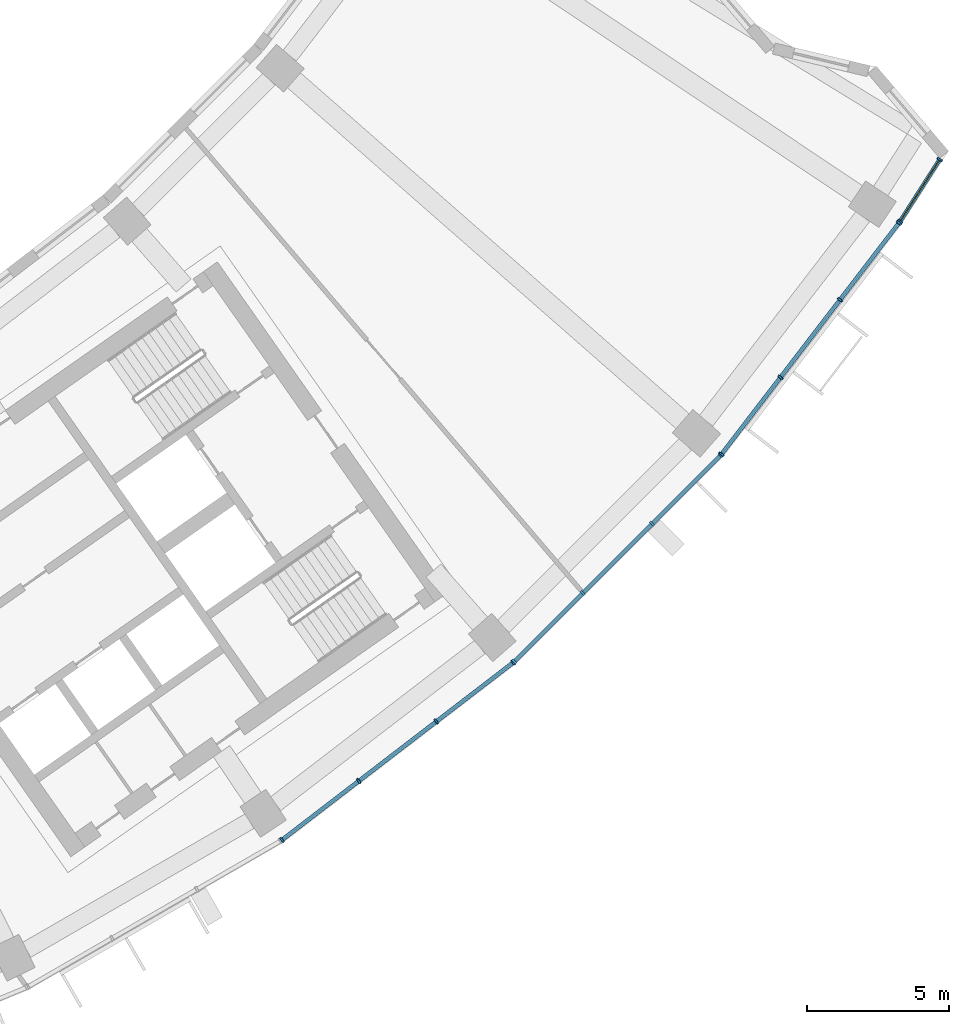
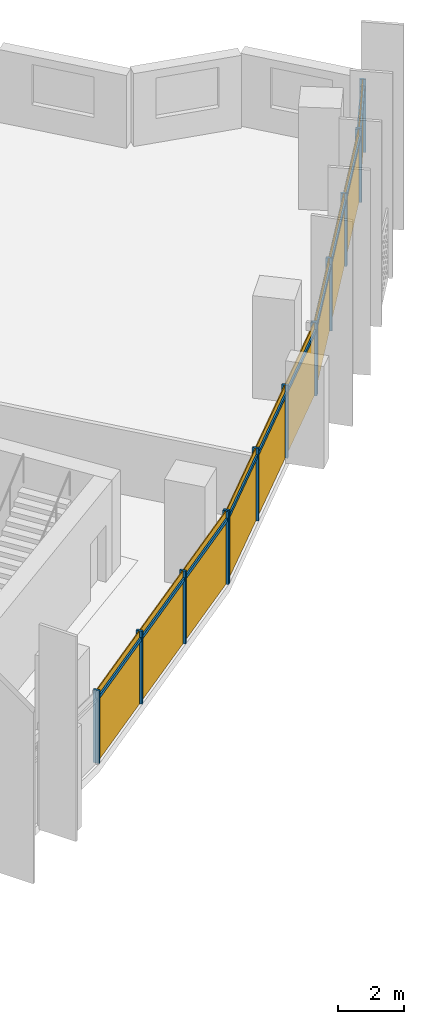
# One storey, part 22 of 27: 24 members, 4 curtain walls.
"""IFC4 building model written with IfcOpenShell, lengths in metres."""

from ifc_helpers import new_model, si_unit, direction, frame, origin, origin_2d, place, context, subcontext, project, spatial, rectangle, extrude, material, material_profile, profile_set, type_object, element, aggregate, save


model = new_model("IFC4")

# Units and contexts
model_context = context("Model", 3, precision=1e-05, world=origin(), true_north=direction((0.0, 1.0)))
body_context = subcontext(model_context, "Body", "Model", "MODEL_VIEW")
ifc_project = project(units=[si_unit("LENGTHUNIT", "METRE"), si_unit("AREAUNIT", "SQUARE_METRE"), si_unit("VOLUMEUNIT", "CUBIC_METRE"), si_unit("PLANEANGLEUNIT", "RADIAN"), si_unit("MASSUNIT", "GRAM", prefix="KILO")], contexts=[model_context])

# Member
ifc_material = material(Name="Aluminium 6063-T6 anodised", Category="aluminium")
ifc_material_profile_1 = material_profile(ifc_material, rectangle(XDim=0.199951171875, YDim=0.070068359375, at=origin_2d()))
ifc_profile_set_1 = profile_set([ifc_material_profile_1], Name="Aluminium 6063-T6 anodised")
member_type_1 = type_object("IfcMemberType", Name="Mullion 70 x 200 aluminium", PredefinedType="MULLION", material=ifc_profile_set_1)
site_placement = place(None, origin())
building_placement = place(site_placement, origin())
storey_placement = place(building_placement, frame((0.0, 0.0, 179.699951171875)))
member_1_placement = place(storey_placement, frame((43.85693359375, -65.58544921875, 0.0), z_axis=(0.0, 0.0, 1.0), x_axis=(-0.608761429009, 0.793353340291, 0.0)))
member_1 = element("IfcMember", 1, at=member_1_placement, type_object=member_type_1, Name="e-cw1-L42-out12/M00", PredefinedType="MULLION", context=body_context, shape_type="SweptSolid", body=[
    extrude(rectangle(XDim=0.199951171875, YDim=0.070068359375, at=origin_2d()), origin(), (0.0, 0.0, 1.0), 2.699951171875),
])

member_2_placement = place(storey_placement, frame((46.56201171875, -63.509765625, 0.0), z_axis=(0.0, 0.0, 1.0), x_axis=(-0.608761429009, 0.793353340291, 0.0)))
member_2 = element("IfcMember", 2, at=member_2_placement, type_object=member_type_1, Name="e-cw1-L42-out12/M01", PredefinedType="MULLION", context=body_context, shape_type="SweptSolid", body=[
    extrude(rectangle(XDim=0.199951171875, YDim=0.070068359375, at=origin_2d()), origin(), (0.0, 0.0, 1.0), 2.699951171875),
])

member_3_placement = place(storey_placement, frame((49.294677734375, -61.412841796875, 0.0), z_axis=(0.0, 0.0, 1.0), x_axis=(-0.608761429009, 0.793353340291, 0.0)))
member_3 = element("IfcMember", 3, at=member_3_placement, type_object=member_type_1, Name="e-cw1-L42-out12/M02", PredefinedType="MULLION", context=body_context, shape_type="SweptSolid", body=[
    extrude(rectangle(XDim=0.199951171875, YDim=0.070068359375, at=origin_2d()), origin(), (0.0, 0.0, 1.0), 2.699951171875),
])

member_4_placement = place(storey_placement, frame((51.999755859375, -59.33740234375, 0.0), z_axis=(0.0, 0.0, 1.0), x_axis=(-0.608761429009, 0.793353340291, 0.0)))
member_4 = element("IfcMember", 4, at=member_4_placement, type_object=member_type_1, Name="e-cw1-L42-out12/M03", PredefinedType="MULLION", context=body_context, shape_type="SweptSolid", body=[
    extrude(rectangle(XDim=0.199951171875, YDim=0.070068359375, at=origin_2d()), origin(), (0.0, 0.0, 1.0), 2.699951171875),
])

member_5_placement = place(storey_placement, frame((52.042236328125, -59.2998046875, 0.0), z_axis=(0.0, 0.0, 1.0), x_axis=(-0.707106781187, 0.707106781187, 0.0)))
member_5 = element("IfcMember", 5, at=member_5_placement, type_object=member_type_1, Name="e-cw1-L42-out13/M00", PredefinedType="MULLION", context=body_context, shape_type="SweptSolid", body=[
    extrude(rectangle(XDim=0.199951171875, YDim=0.070068359375, at=origin_2d()), origin(), (0.0, 0.0, 1.0), 2.699951171875),
])

member_6_placement = place(storey_placement, frame((54.453369140625, -56.888916015625, 0.0), z_axis=(0.0, 0.0, 1.0), x_axis=(-0.707106781187, 0.707106781187, 0.0)))
member_6 = element("IfcMember", 6, at=member_6_placement, type_object=member_type_1, Name="e-cw1-L42-out13/M01", PredefinedType="MULLION", context=body_context, shape_type="SweptSolid", body=[
    extrude(rectangle(XDim=0.199951171875, YDim=0.070068359375, at=origin_2d()), origin(), (0.0, 0.0, 1.0), 2.699951171875),
])

member_7_placement = place(storey_placement, frame((56.888916015625, -54.453369140625, 0.0), z_axis=(0.0, 0.0, 1.0), x_axis=(-0.707106781187, 0.707106781187, 0.0)))
member_7 = element("IfcMember", 7, at=member_7_placement, type_object=member_type_1, Name="e-cw1-L42-out13/M02", PredefinedType="MULLION", context=body_context, shape_type="SweptSolid", body=[
    extrude(rectangle(XDim=0.199951171875, YDim=0.070068359375, at=origin_2d()), origin(), (0.0, 0.0, 1.0), 2.699951171875),
])

member_8_placement = place(storey_placement, frame((59.2998046875, -52.042236328125, 0.0), z_axis=(0.0, 0.0, 1.0), x_axis=(-0.707106781187, 0.707106781187, 0.0)))
member_8 = element("IfcMember", 8, at=member_8_placement, type_object=member_type_1, Name="e-cw1-L42-out13/M03", PredefinedType="MULLION", context=body_context, shape_type="SweptSolid", body=[
    extrude(rectangle(XDim=0.199951171875, YDim=0.070068359375, at=origin_2d()), origin(), (0.0, 0.0, 1.0), 2.699951171875),
])

member_9_placement = place(storey_placement, frame((59.33740234375, -51.999755859375, 0.0), z_axis=(0.0, 0.0, 1.0), x_axis=(-0.793353340291, 0.608761429009, 0.0)))
member_9 = element("IfcMember", 9, at=member_9_placement, type_object=member_type_1, Name="e-cw1-L42-out14/M00", PredefinedType="MULLION", context=body_context, shape_type="SweptSolid", body=[
    extrude(rectangle(XDim=0.199951171875, YDim=0.070068359375, at=origin_2d()), origin(), (0.0, 0.0, 1.0), 2.699951171875),
])

member_10_placement = place(storey_placement, frame((61.412841796875, -49.294677734375, 0.0), z_axis=(0.0, 0.0, 1.0), x_axis=(-0.793353340291, 0.608761429009, 0.0)))
member_10 = element("IfcMember", 10, at=member_10_placement, type_object=member_type_1, Name="e-cw1-L42-out14/M01", PredefinedType="MULLION", context=body_context, shape_type="SweptSolid", body=[
    extrude(rectangle(XDim=0.199951171875, YDim=0.070068359375, at=origin_2d()), origin(), (0.0, 0.0, 1.0), 2.699951171875),
])

member_11_placement = place(storey_placement, frame((63.509765625, -46.56201171875, 0.0), z_axis=(0.0, 0.0, 1.0), x_axis=(-0.793353340291, 0.608761429009, 0.0)))
member_11 = element("IfcMember", 11, at=member_11_placement, type_object=member_type_1, Name="e-cw1-L42-out14/M02", PredefinedType="MULLION", context=body_context, shape_type="SweptSolid", body=[
    extrude(rectangle(XDim=0.199951171875, YDim=0.070068359375, at=origin_2d()), origin(), (0.0, 0.0, 1.0), 2.699951171875),
])

member_12_placement = place(storey_placement, frame((65.58544921875, -43.85693359375, 0.0), z_axis=(0.0, 0.0, 1.0), x_axis=(-0.793353340291, 0.608761429009, 0.0)))
member_12 = element("IfcMember", 12, at=member_12_placement, type_object=member_type_1, Name="e-cw1-L42-out14/M03", PredefinedType="MULLION", context=body_context, shape_type="SweptSolid", body=[
    extrude(rectangle(XDim=0.199951171875, YDim=0.070068359375, at=origin_2d()), origin(), (0.0, 0.0, 1.0), 2.699951171875),
])

member_13_placement = place(storey_placement, frame((65.620849609375, -43.806640625, 0.0), z_axis=(0.0, 0.0, 1.0), x_axis=(-0.842034175149, 0.539424181773, 0.0)))
member_13 = element("IfcMember", 13, at=member_13_placement, type_object=member_type_1, Name="e-cw1-L42-out15/M00", PredefinedType="MULLION", context=body_context, shape_type="SweptSolid", body=[
    extrude(rectangle(XDim=0.199951171875, YDim=0.070068359375, at=origin_2d()), origin(), (0.0, 0.0, 1.0), 2.699951171875),
])

member_14_placement = place(storey_placement, frame((67.019775390625, -41.622802734375, 0.0), z_axis=(0.0, 0.0, 1.0), x_axis=(-0.842034175149, 0.539424181773, 0.0)))
member_14 = element("IfcMember", 14, at=member_14_placement, type_object=member_type_1, Name="e-cw1-L42-out15/M01", PredefinedType="MULLION", context=body_context, shape_type="SweptSolid", body=[
    extrude(rectangle(XDim=0.199951171875, YDim=0.070068359375, at=origin_2d()), origin(), (0.0, 0.0, 1.0), 2.699951171875),
])

ifc_material_profile_2 = material_profile(ifc_material, rectangle(XDim=0.139892578125, YDim=0.1201171875, at=origin_2d()))
ifc_profile_set_2 = profile_set([ifc_material_profile_2], Name="Aluminium 6063-T6 anodised")
member_type_2 = type_object("IfcMemberType", Name="Transom 120 x 140 aluminium", PredefinedType="USERDEFINED", material=ifc_profile_set_2)
member_15_placement = place(storey_placement, frame((43.884765625, -65.564208984375, 2.400146484375), z_axis=(0.793354486861, 0.608759934767, 0.0), x_axis=(-0.608759934767, 0.793354486861, 0.0)))
member_15 = element("IfcMember", 15, at=member_15_placement, type_object=member_type_2, Name="e-cw1-L42-out12/T00", ObjectType="TRANSOM", PredefinedType="USERDEFINED", context=body_context, shape_type="SweptSolid", body=[
    extrude(rectangle(XDim=0.139892578125, YDim=0.1201171875, at=origin_2d()), origin(), (0.0, 0.0, 1.0), 3.339599609375),
])

member_16_placement = place(storey_placement, frame((46.589599609375, -63.488525390625, 2.400146484375), z_axis=(0.793371081522, 0.608738307489, 0.0), x_axis=(-0.608738307489, 0.793371081522, 0.0)))
member_16 = element("IfcMember", 16, at=member_16_placement, type_object=member_type_2, Name="e-cw1-L42-out12/T01", ObjectType="TRANSOM", PredefinedType="USERDEFINED", context=body_context, shape_type="SweptSolid", body=[
    extrude(rectangle(XDim=0.139892578125, YDim=0.1201171875, at=origin_2d()), origin(), (0.0, 0.0, 1.0), 3.37451171875),
])

member_17_placement = place(storey_placement, frame((49.322509765625, -61.3916015625, 2.400146484375), z_axis=(0.793354486861, 0.608759934767, 0.0), x_axis=(-0.608759934767, 0.793354486861, 0.0)))
member_17 = element("IfcMember", 17, at=member_17_placement, type_object=member_type_2, Name="e-cw1-L42-out12/T02", ObjectType="TRANSOM", PredefinedType="USERDEFINED", context=body_context, shape_type="SweptSolid", body=[
    extrude(rectangle(XDim=0.139892578125, YDim=0.1201171875, at=origin_2d()), origin(), (0.0, 0.0, 1.0), 3.339599609375),
])

member_18_placement = place(storey_placement, frame((52.067138671875, -59.275146484375, 2.400146484375), z_axis=(0.707106781187, 0.707106781187, 0.0), x_axis=(-0.707106781187, 0.707106781187, 0.0)))
member_18 = element("IfcMember", 18, at=member_18_placement, type_object=member_type_2, Name="e-cw1-L42-out13/T00", ObjectType="TRANSOM", PredefinedType="USERDEFINED", context=body_context, shape_type="SweptSolid", body=[
    extrude(rectangle(XDim=0.139892578125, YDim=0.1201171875, at=origin_2d()), origin(), (0.0, 0.0, 1.0), 3.33935546875),
])

member_19_placement = place(storey_placement, frame((54.47802734375, -56.8642578125, 2.400146484375), z_axis=(0.707106781187, 0.707106781187, 0.0), x_axis=(-0.707106781187, 0.707106781187, 0.0)))
member_19 = element("IfcMember", 19, at=member_19_placement, type_object=member_type_2, Name="e-cw1-L42-out13/T01", ObjectType="TRANSOM", PredefinedType="USERDEFINED", context=body_context, shape_type="SweptSolid", body=[
    extrude(rectangle(XDim=0.139892578125, YDim=0.1201171875, at=origin_2d()), origin(), (0.0, 0.0, 1.0), 3.374755859375),
])

member_20_placement = place(storey_placement, frame((56.913818359375, -54.428466796875, 2.400146484375), z_axis=(0.707106781187, 0.707106781187, 0.0), x_axis=(-0.707106781187, 0.707106781187, 0.0)))
member_20 = element("IfcMember", 20, at=member_20_placement, type_object=member_type_2, Name="e-cw1-L42-out13/T02", ObjectType="TRANSOM", PredefinedType="USERDEFINED", context=body_context, shape_type="SweptSolid", body=[
    extrude(rectangle(XDim=0.139892578125, YDim=0.1201171875, at=origin_2d()), origin(), (0.0, 0.0, 1.0), 3.33935546875),
])

member_21_placement = place(storey_placement, frame((59.358642578125, -51.971923828125, 2.400146484375), z_axis=(0.608759934767, 0.793354486861, 0.0), x_axis=(-0.793354486861, 0.608759934767, 0.0)))
member_21 = element("IfcMember", 21, at=member_21_placement, type_object=member_type_2, Name="e-cw1-L42-out14/T00", ObjectType="TRANSOM", PredefinedType="USERDEFINED", context=body_context, shape_type="SweptSolid", body=[
    extrude(rectangle(XDim=0.139892578125, YDim=0.1201171875, at=origin_2d()), origin(), (0.0, 0.0, 1.0), 3.339599609375),
])

member_22_placement = place(storey_placement, frame((61.434326171875, -49.266845703125, 2.400146484375), z_axis=(0.608738307489, 0.793371081522, 0.0), x_axis=(-0.793371081522, 0.608738307489, 0.0)))
member_22 = element("IfcMember", 22, at=member_22_placement, type_object=member_type_2, Name="e-cw1-L42-out14/T01", ObjectType="TRANSOM", PredefinedType="USERDEFINED", context=body_context, shape_type="SweptSolid", body=[
    extrude(rectangle(XDim=0.139892578125, YDim=0.1201171875, at=origin_2d()), origin(), (0.0, 0.0, 1.0), 3.37451171875),
])

member_23_placement = place(storey_placement, frame((63.53125, -46.5341796875, 2.400146484375), z_axis=(0.608759934767, 0.793354486861, 0.0), x_axis=(-0.793354486861, 0.608759934767, 0.0)))
member_23 = element("IfcMember", 23, at=member_23_placement, type_object=member_type_2, Name="e-cw1-L42-out14/T02", ObjectType="TRANSOM", PredefinedType="USERDEFINED", context=body_context, shape_type="SweptSolid", body=[
    extrude(rectangle(XDim=0.139892578125, YDim=0.1201171875, at=origin_2d()), origin(), (0.0, 0.0, 1.0), 3.339599609375),
])

member_24_placement = place(storey_placement, frame((65.6396484375, -43.777099609375, 2.400146484375), z_axis=(0.539470934672, 0.842004222462, 0.0), x_axis=(-0.842004222462, 0.539470934672, 0.0)))
member_24 = element("IfcMember", 24, at=member_24_placement, type_object=member_type_2, Name="e-cw1-L42-out15/T00", ObjectType="TRANSOM", PredefinedType="USERDEFINED", context=body_context, shape_type="SweptSolid", body=[
    extrude(rectangle(XDim=0.139892578125, YDim=0.1201171875, at=origin_2d()), origin(), (0.0, 0.0, 1.0), 2.5234375),
])

# Site, building, storey
site = spatial("IfcSite", under=ifc_project, at=site_placement, CompositionType="ELEMENT")
building = spatial("IfcBuilding", under=site, at=building_placement, Name="Qamariyya Broadcast Tower", CompositionType="ELEMENT")
storey = spatial("IfcBuildingStorey", under=building, at=storey_placement, Name="L42", CompositionType="ELEMENT", Elevation=179.699951171875)

# Curtain wall
curtain_wall_type = type_object("IfcCurtainWallType", Name="Unitised curtain wall, anodised aluminium", PredefinedType="NOTDEFINED", material=ifc_material)
curtain_wall_1_placement = place(storey_placement, origin())
curtain_wall_1 = element("IfcCurtainWall", 25, at=curtain_wall_1_placement, inside=storey, type_object=curtain_wall_type, Name="e-cw1-L42-out12", PredefinedType="NOTDEFINED", context=body_context, shape_type="SweptSolid", body=[
    extrude(rectangle(XDim=3.339599609375, YDim=0.031982421875, at=origin_2d()), frame((45.20947265625, -64.547607421875, 0.0), x_axis=(0.793351517557, 0.608763804434, 0.0)), (0.0, 0.0, 1.0), 2.340087890625),
    extrude(rectangle(XDim=3.339599609375, YDim=0.031982421875, at=origin_2d()), frame((45.20947265625, -64.547607421875, 2.4599609375), x_axis=(0.793351517557, 0.608763804434, 0.0)), (0.0, 0.0, 1.0), 0.239990234375),
    extrude(rectangle(XDim=3.37451171875, YDim=0.031982421875, at=origin_2d()), frame((47.92822265625, -62.46142578125, 0.0), x_axis=(0.793351517557, 0.608763804434, 0.0)), (0.0, 0.0, 1.0), 2.340087890625),
    extrude(rectangle(XDim=3.37451171875, YDim=0.031982421875, at=origin_2d()), frame((47.92822265625, -62.46142578125, 2.4599609375), x_axis=(0.793351517557, 0.608763804434, 0.0)), (0.0, 0.0, 1.0), 0.239990234375),
    extrude(rectangle(XDim=3.339599609375, YDim=0.031982421875, at=origin_2d()), frame((50.64697265625, -60.375, 0.0), x_axis=(0.793351517557, 0.608763804434, 0.0)), (0.0, 0.0, 1.0), 2.340087890625),
    extrude(rectangle(XDim=3.339599609375, YDim=0.031982421875, at=origin_2d()), frame((50.64697265625, -60.375, 2.4599609375), x_axis=(0.793351517557, 0.608763804434, 0.0)), (0.0, 0.0, 1.0), 0.239990234375),
])

aggregate(curtain_wall_1, [member_1, member_2, member_3, member_4, member_15, member_16, member_17])

curtain_wall_2_placement = place(storey_placement, origin())
curtain_wall_2 = element("IfcCurtainWall", 26, at=curtain_wall_2_placement, inside=storey, type_object=curtain_wall_type, Name="e-cw1-L42-out13", PredefinedType="NOTDEFINED", context=body_context, shape_type="SweptSolid", body=[
    extrude(rectangle(XDim=3.339599609375, YDim=0.031982421875, at=origin_2d()), frame((53.247802734375, -58.094482421875, 0.0), x_axis=(0.707106781187, 0.707106781187, 0.0)), (0.0, 0.0, 1.0), 2.340087890625),
    extrude(rectangle(XDim=3.339599609375, YDim=0.031982421875, at=origin_2d()), frame((53.247802734375, -58.094482421875, 2.4599609375), x_axis=(0.707106781187, 0.707106781187, 0.0)), (0.0, 0.0, 1.0), 0.239990234375),
    extrude(rectangle(XDim=3.37451171875, YDim=0.031982421875, at=origin_2d()), frame((55.671142578125, -55.671142578125, 0.0), x_axis=(0.707106781187, 0.707106781187, 0.0)), (0.0, 0.0, 1.0), 2.340087890625),
    extrude(rectangle(XDim=3.37451171875, YDim=0.031982421875, at=origin_2d()), frame((55.671142578125, -55.671142578125, 2.4599609375), x_axis=(0.707106781187, 0.707106781187, 0.0)), (0.0, 0.0, 1.0), 0.239990234375),
    extrude(rectangle(XDim=3.339599609375, YDim=0.031982421875, at=origin_2d()), frame((58.094482421875, -53.247802734375, 0.0), x_axis=(0.707106781187, 0.707106781187, 0.0)), (0.0, 0.0, 1.0), 2.340087890625),
    extrude(rectangle(XDim=3.339599609375, YDim=0.031982421875, at=origin_2d()), frame((58.094482421875, -53.247802734375, 2.4599609375), x_axis=(0.707106781187, 0.707106781187, 0.0)), (0.0, 0.0, 1.0), 0.239990234375),
])

aggregate(curtain_wall_2, [member_5, member_6, member_7, member_8, member_18, member_19, member_20])

curtain_wall_3_placement = place(storey_placement, origin())
curtain_wall_3 = element("IfcCurtainWall", 27, at=curtain_wall_3_placement, inside=storey, type_object=curtain_wall_type, Name="e-cw1-L42-out14", PredefinedType="NOTDEFINED", context=body_context, shape_type="SweptSolid", body=[
    extrude(rectangle(XDim=3.339599609375, YDim=0.031982421875, at=origin_2d()), frame((60.375, -50.64697265625, 0.0), x_axis=(0.608763804434, 0.793351517557, 0.0)), (0.0, 0.0, 1.0), 2.340087890625),
    extrude(rectangle(XDim=3.339599609375, YDim=0.031982421875, at=origin_2d()), frame((60.375, -50.64697265625, 2.4599609375), x_axis=(0.608763804434, 0.793351517557, 0.0)), (0.0, 0.0, 1.0), 0.239990234375),
    extrude(rectangle(XDim=3.37451171875, YDim=0.031982421875, at=origin_2d()), frame((62.46142578125, -47.92822265625, 0.0), x_axis=(0.608763804434, 0.793351517557, 0.0)), (0.0, 0.0, 1.0), 2.340087890625),
    extrude(rectangle(XDim=3.37451171875, YDim=0.031982421875, at=origin_2d()), frame((62.46142578125, -47.92822265625, 2.4599609375), x_axis=(0.608763804434, 0.793351517557, 0.0)), (0.0, 0.0, 1.0), 0.239990234375),
    extrude(rectangle(XDim=3.339599609375, YDim=0.031982421875, at=origin_2d()), frame((64.547607421875, -45.20947265625, 0.0), x_axis=(0.608763804434, 0.793351517557, 0.0)), (0.0, 0.0, 1.0), 2.340087890625),
    extrude(rectangle(XDim=3.339599609375, YDim=0.031982421875, at=origin_2d()), frame((64.547607421875, -45.20947265625, 2.4599609375), x_axis=(0.608763804434, 0.793351517557, 0.0)), (0.0, 0.0, 1.0), 0.239990234375),
])

aggregate(curtain_wall_3, [member_9, member_10, member_11, member_12, member_21, member_22, member_23])

curtain_wall_4_placement = place(storey_placement, origin())
curtain_wall_4 = element("IfcCurtainWall", 28, at=curtain_wall_4_placement, inside=storey, type_object=curtain_wall_type, Name="e-cw1-L42-out15", PredefinedType="NOTDEFINED", context=body_context, shape_type="SweptSolid", body=[
    extrude(rectangle(XDim=2.523681640625, YDim=0.031982421875, at=origin_2d()), frame((66.3203125, -42.71484375, 0.0), x_axis=(0.539399574307, 0.842049938684, 0.0)), (0.0, 0.0, 1.0), 2.340087890625),
    extrude(rectangle(XDim=2.523681640625, YDim=0.031982421875, at=origin_2d()), frame((66.3203125, -42.71484375, 2.4599609375), x_axis=(0.539399574307, 0.842049938684, 0.0)), (0.0, 0.0, 1.0), 0.239990234375),
])

aggregate(curtain_wall_4, [member_13, member_14, member_24])

save(model, "model.ifc")
